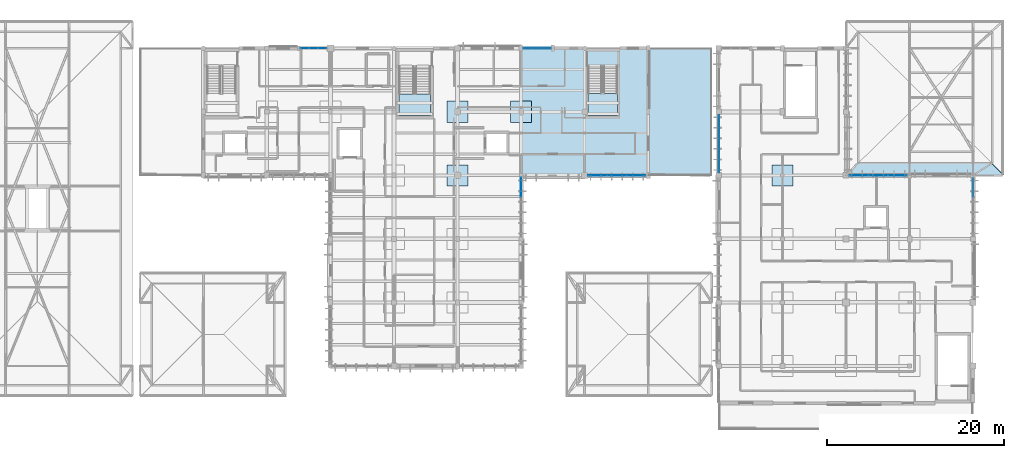
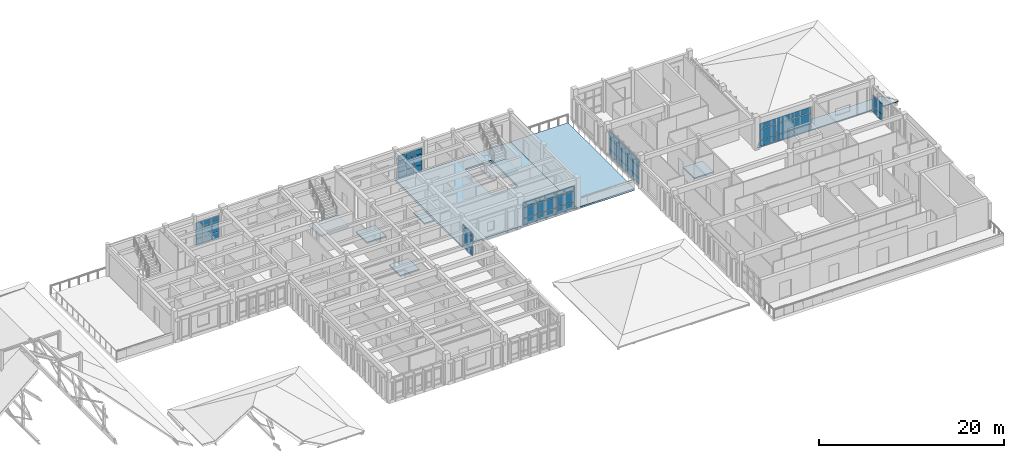
# One storey, part 26 of 51: 50 plates, 9 slabs, 10 elements without a shape of their own.
"""IFC4 building model written with IfcOpenShell, lengths in metres."""

import ifcopenshell
import ifcopenshell.guid

model = None  # the IFC model being written
_history = None  # IfcOwnerHistory: only IFC2X3 demands one
_inside = {}  # id of a spatial element -> (the spatial element, [elements in it])
_under = {}  # id of a project, library or spatial element -> (it, [spatial elements below it])
_declared = {}  # id of a project -> (the project, [libraries it declares])
_typed = {}  # id of a type object -> (the type object, [elements of that type])
_made_of = {}  # id of a material, layer set ... -> (it, [elements and type objects made of it])


def new_model(schema):
    """Start an empty IFC model of exactly this schema.

    Asked for "IFC4X3", IfcOpenShell would pick the latest addendum, in which some entities
    have other attributes; the version numbers below select the first issue.
    IFC2X3 requires an IfcOwnerHistory on every rooted entity: one is made here for all.
    """
    global model, _history
    if schema == "IFC4X3":
        model = ifcopenshell.file(schema_version=(4, 3, 0, 0))
    else:
        model = ifcopenshell.file(schema=schema)
    _inside.clear()
    _under.clear()
    _declared.clear()
    _typed.clear()
    _made_of.clear()
    _history = None
    if model.schema == "IFC2X3":
        org = make("IfcOrganization", Name="unknown")
        user = make(
            "IfcPersonAndOrganization",
            ThePerson=make("IfcPerson", FamilyName="unknown"),
            TheOrganization=org,
        )
        app = make(
            "IfcApplication",
            ApplicationDeveloper=org,
            Version="unknown",
            ApplicationFullName="unknown",
            ApplicationIdentifier="unknown",
        )
        _history = make(
            "IfcOwnerHistory",
            OwningUser=user,
            OwningApplication=app,
            ChangeAction="ADDED",
            CreationDate=0,
        )
    return model


def make(cls, **values):
    """One entity of the class cls with the attributes given. An attribute that is None is left unset."""
    return model.create_entity(
        cls, **{name: value for name, value in values.items() if value is not None}
    )


def rooted(cls, **values):
    """An entity with a GlobalId (a new one), such as an element, a storey or a relation."""
    return make(cls, GlobalId=ifcopenshell.guid.new(), OwnerHistory=_history, **values)


def si_unit(unit_type, name, prefix=None):
    """IfcSIUnit, for example si_unit("LENGTHUNIT", "METRE", prefix="MILLI")."""
    return make("IfcSIUnit", UnitType=unit_type, Prefix=prefix, Name=name)


def assignment(units):
    """IfcUnitAssignment: the units of a project."""
    return None if units is None else make("IfcUnitAssignment", Units=units)


def point(xyz):
    """IfcCartesianPoint."""
    return None if xyz is None else make("IfcCartesianPoint", Coordinates=xyz)


def direction(xyz):
    """IfcDirection."""
    return None if xyz is None else make("IfcDirection", DirectionRatios=xyz)


def frame(location, z_axis=None, x_axis=None):
    """IfcAxis2Placement3D, a coordinate frame: its origin and axes. An axis left out is left unset."""
    return make(
        "IfcAxis2Placement3D",
        Location=point(location),
        Axis=direction(z_axis),
        RefDirection=direction(x_axis),
    )


def frame_2d(location, x_axis=None):
    """IfcAxis2Placement2D, a coordinate frame in the plane: its origin and x axis."""
    return make(
        "IfcAxis2Placement2D", Location=point(location), RefDirection=direction(x_axis)
    )


def origin():
    """The frame at (0, 0, 0) with its axes left unset."""
    return frame((0.0, 0.0, 0.0))


def origin_2d():
    """The frame at (0, 0) in the plane with its x axis left unset."""
    return frame_2d((0.0, 0.0))


def place(relative_to, where):
    """IfcLocalPlacement: puts the frame where relative to a parent placement (None: the world)."""
    return make(
        "IfcLocalPlacement", PlacementRelTo=relative_to, RelativePlacement=where
    )


def context(
    kind, dimensions, precision=None, world=None, true_north=None, identifier=None
):
    """IfcGeometricRepresentationContext, for example the 3D "Model" context."""
    return make(
        "IfcGeometricRepresentationContext",
        ContextIdentifier=identifier,
        ContextType=kind,
        CoordinateSpaceDimension=dimensions,
        Precision=precision,
        WorldCoordinateSystem=world,
        TrueNorth=true_north,
    )


def subcontext(parent, identifier, kind, view, scale=None):
    """IfcGeometricRepresentationSubContext, for example "Body" below "Model"."""
    return make(
        "IfcGeometricRepresentationSubContext",
        ContextIdentifier=identifier,
        ContextType=kind,
        ParentContext=parent,
        TargetScale=scale,
        TargetView=view,
    )


def project(units=None, contexts=None):
    """IfcProject with its units and contexts."""
    return rooted(
        "IfcProject",
        Name="project",
        RepresentationContexts=contexts,
        UnitsInContext=assignment(units),
    )


def spatial(cls, under=None, at=None, **own):
    """A site, building, storey or space (cls), placed at a placement, below another one or the project."""
    s = rooted(cls, ObjectPlacement=at, **own)
    if under is not None:
        _under.setdefault(under.id(), (under, []))[1].append(s)
    return s


def polyline(points):
    """IfcPolyline through the points."""
    return make("IfcPolyline", Points=[point(p) for p in points])


def profile(cls, at=None, kind="AREA", **sizes):
    """A parametric profile (cls). Its sizes go by their IFC names, for example OverallWidth=200.0."""
    return make(cls, ProfileType=kind, Position=at, **sizes)


def rectangle(**sizes):
    """IfcRectangleProfileDef."""
    return profile("IfcRectangleProfileDef", **sizes)


def outline(outer, holes=None, kind="AREA"):
    """IfcArbitraryClosedProfileDef: a profile drawn as a closed curve; with holes, ...WithVoids."""
    if holes is None:
        return make("IfcArbitraryClosedProfileDef", ProfileType=kind, OuterCurve=outer)
    return make(
        "IfcArbitraryProfileDefWithVoids",
        ProfileType=kind,
        OuterCurve=outer,
        InnerCurves=holes,
    )


def extrude(swept, where, along, depth):
    """IfcExtrudedAreaSolid: the profile swept, set in the frame where, extruded along a direction by depth."""
    return make(
        "IfcExtrudedAreaSolid",
        SweptArea=swept,
        Position=where,
        ExtrudedDirection=direction(along),
        Depth=depth,
    )


def shape(context_of_items, identifier, shape_type, items):
    """IfcShapeRepresentation: the items that make up one representation, for example the "Body"."""
    return make(
        "IfcShapeRepresentation",
        ContextOfItems=context_of_items,
        RepresentationIdentifier=identifier,
        RepresentationType=shape_type,
        Items=items,
    )


def material(Name=None, Category=None):
    """IfcMaterial."""
    return make("IfcMaterial", Name=Name, Category=Category)


def layer(
    of_material, thickness, ventilated=None, Name=None, Category=None, Priority=None
):
    """IfcMaterialLayer: one layer of a wall or slab, of a material (None: an air gap)."""
    return make(
        "IfcMaterialLayer",
        Material=of_material,
        LayerThickness=thickness,
        IsVentilated=ventilated,
        Name=Name,
        Category=Category,
        Priority=Priority,
    )


def layer_set(layers, Name=None):
    """IfcMaterialLayerSet."""
    return make("IfcMaterialLayerSet", MaterialLayers=layers, LayerSetName=Name)


def made_of(thing, what):
    """Note that an element or type object is made of a material, layer set ...; save() writes the relation."""
    if what is not None:
        _made_of.setdefault(what.id(), (what, []))[1].append(thing)
    return thing


def type_object(cls, material=None, **own):
    """A type object (cls), such as IfcWallType, which elements share."""
    return made_of(rooted(cls, **own), material)


def element(
    cls,
    number,
    at=None,
    inside=None,
    cuts=None,
    type_object=None,
    material=None,
    context=None,
    identifier="Body",
    shape_type=None,
    held_by="IfcProductDefinitionShape",
    body=None,
    shapes=None,
    **own,
):
    """One element of the class cls, such as IfcWall. Its Tag is "e" and its number.

    at: its placement. inside: the storey or other place that contains it. cuts: it is an
    opening in that element (IfcRelVoidsElement). A single representation is given by context,
    identifier, shape_type and body (its items); several are given by shapes. held_by: the class
    of the entity that holds the representations. save() writes the other relations.
    """
    e = rooted(cls, Tag="e%d" % number, ObjectPlacement=at, **own)
    if body is not None:
        shapes = [shape(context, identifier, shape_type, body)]
    if shapes is not None:
        e.Representation = make(held_by, Representations=shapes)
    if inside is not None:
        _inside.setdefault(inside.id(), (inside, []))[1].append(e)
    if cuts is not None:
        rooted(
            "IfcRelVoidsElement", RelatingBuildingElement=cuts, RelatedOpeningElement=e
        )
    if type_object is not None:
        _typed.setdefault(type_object.id(), (type_object, []))[1].append(e)
    return made_of(e, material)


def aggregate(whole, parts):
    """IfcRelAggregates: a whole, such as a stair, and the parts it consists of."""
    return rooted("IfcRelAggregates", RelatingObject=whole, RelatedObjects=parts)


def save(model, path):
    """Write the relations noted so far, then the file.

    IfcRelAggregates (storeys below a building ...), IfcRelContainedInSpatialStructure (elements
    in a storey), IfcRelDefinesByType, IfcRelAssociatesMaterial and IfcRelDeclares: one each for
    every whole, place, type object, material and project.
    """
    for whole, parts in _under.values():
        aggregate(whole, parts)
    for where, things in _inside.values():
        rooted(
            "IfcRelContainedInSpatialStructure",
            RelatedElements=things,
            RelatingStructure=where,
        )
    for kind, things in _typed.values():
        rooted("IfcRelDefinesByType", RelatedObjects=things, RelatingType=kind)
    for what, things in _made_of.values():
        rooted("IfcRelAssociatesMaterial", RelatedObjects=things, RelatingMaterial=what)
    for by, libraries in _declared.values():
        rooted("IfcRelDeclares", RelatingContext=by, RelatedDefinitions=libraries)
    model.write(path)


model = new_model("IFC4")

# Units and contexts
model_context = context("Model", 3, precision=1e-05, world=origin(), true_north=direction((0.0, 1.0)))
body_context = subcontext(model_context, "Body", "Model", "MODEL_VIEW")
ifc_project = project(units=[si_unit("LENGTHUNIT", "METRE"), si_unit("AREAUNIT", "SQUARE_METRE"), si_unit("VOLUMEUNIT", "CUBIC_METRE"), si_unit("PLANEANGLEUNIT", "RADIAN"), si_unit("MASSUNIT", "GRAM", prefix="KILO")], contexts=[model_context])

# Site, building, storey
site_placement = place(None, origin())
site = spatial("IfcSite", under=ifc_project, at=site_placement, CompositionType="ELEMENT")
building_placement = place(site_placement, origin())
building = spatial("IfcBuilding", under=site, at=building_placement, Name="Steenspoor Specialist Clinic", CompositionType="ELEMENT")
storey_placement = place(building_placement, frame((0.0, 0.0, 17.39990234375)))
storey = spatial("IfcBuildingStorey", under=building, at=storey_placement, Name="L04", CompositionType="ELEMENT", Elevation=17.39990234375)

# Curtain wall, plates
ifc_material_1 = material(Name="Thermally broken aluminium and low-emissivity glass", Category="aluminium")
curtain_wall_type_1 = type_object("IfcCurtainWallType", Name="CW-TYP-660X355", PredefinedType="USERDEFINED", material=ifc_material_1)
curtain_wall_1_placement = place(storey_placement, origin())
curtain_wall_1 = element("IfcCurtainWall", 1, at=curtain_wall_1_placement, inside=storey, type_object=curtain_wall_type_1, Name="Unitised Curtain Wall CW-V4-L04-129", ObjectType="UNITISED GLAZING", PredefinedType="USERDEFINED")
ifc_material_2 = material(Name="Double low-emissivity insulated glass", Category="glass")
ifc_layer_1 = layer(ifc_material_2, 0.035888671875)
ifc_layer_set_1 = layer_set([ifc_layer_1], Name="Double low-emissivity insulated glass")
plate_type_1 = type_object("IfcPlateType", Name="CW-PAN-GL36", PredefinedType="CURTAIN_PANEL", material=ifc_layer_set_1)
plate_1_placement = place(storey_placement, frame((108.6337890625, 93.949951171875, 0.09033203125), z_axis=(0.0, 0.0, 1.0), x_axis=(-1.0, 0.0, 0.0)))
plate_1 = element("IfcPlate", 2, at=plate_1_placement, type_object=plate_type_1, Name="CW-09 panel 1.1", PredefinedType="CURTAIN_PANEL", context=body_context, shape_type="SweptSolid", body=[
    extrude(rectangle(XDim=2.1025390625, YDim=0.035888671875, at=origin_2d()), origin(), (0.0, 0.0, 1.0), 0.764892578125),
])
plate_2_placement = place(storey_placement, frame((108.6337890625, 93.949951171875, 0.94482421875), z_axis=(0.0, 0.0, 1.0), x_axis=(-1.0, 0.0, 0.0)))
plate_2 = element("IfcPlate", 3, at=plate_2_placement, type_object=plate_type_1, Name="CW-09 panel 1.2", PredefinedType="CURTAIN_PANEL", context=body_context, shape_type="SweptSolid", body=[
    extrude(rectangle(XDim=2.1025390625, YDim=0.035888671875, at=origin_2d()), origin(), (0.0, 0.0, 1.0), 1.360107421875),
])
plate_3_placement = place(storey_placement, frame((108.6337890625, 93.949951171875, 2.39501953125), z_axis=(0.0, 0.0, 1.0), x_axis=(-1.0, 0.0, 0.0)))
plate_3 = element("IfcPlate", 4, at=plate_3_placement, type_object=plate_type_1, Name="CW-09 panel 1.3", PredefinedType="CURTAIN_PANEL", context=body_context, shape_type="SweptSolid", body=[
    extrude(rectangle(XDim=2.1025390625, YDim=0.035888671875, at=origin_2d()), origin(), (0.0, 0.0, 1.0), 0.614990234375),
])
plate_4_placement = place(storey_placement, frame((106.449951171875, 93.949951171875, 0.09033203125), z_axis=(0.0, 0.0, 1.0), x_axis=(-1.0, 0.0, 0.0)))
plate_4 = element("IfcPlate", 5, at=plate_4_placement, type_object=plate_type_1, Name="CW-09 panel 2.1", PredefinedType="CURTAIN_PANEL", context=body_context, shape_type="SweptSolid", body=[
    extrude(rectangle(XDim=2.135009765625, YDim=0.035888671875, at=origin_2d()), origin(), (0.0, 0.0, 1.0), 0.764892578125),
])
plate_5_placement = place(storey_placement, frame((106.449951171875, 93.949951171875, 0.94482421875), z_axis=(0.0, 0.0, 1.0), x_axis=(-1.0, 0.0, 0.0)))
plate_5 = element("IfcPlate", 6, at=plate_5_placement, type_object=plate_type_1, Name="CW-09 panel 2.2", PredefinedType="CURTAIN_PANEL", context=body_context, shape_type="SweptSolid", body=[
    extrude(rectangle(XDim=2.135009765625, YDim=0.035888671875, at=origin_2d()), origin(), (0.0, 0.0, 1.0), 1.360107421875),
])
plate_6_placement = place(storey_placement, frame((106.449951171875, 93.949951171875, 2.39501953125), z_axis=(0.0, 0.0, 1.0), x_axis=(-1.0, 0.0, 0.0)))
plate_6 = element("IfcPlate", 7, at=plate_6_placement, type_object=plate_type_1, Name="CW-09 panel 2.3", PredefinedType="CURTAIN_PANEL", context=body_context, shape_type="SweptSolid", body=[
    extrude(rectangle(XDim=2.135009765625, YDim=0.035888671875, at=origin_2d()), origin(), (0.0, 0.0, 1.0), 0.614990234375),
])
plate_7_placement = place(storey_placement, frame((104.266357421875, 93.949951171875, 0.09033203125), z_axis=(0.0, 0.0, 1.0), x_axis=(-1.0, 0.0, 0.0)))
plate_7 = element("IfcPlate", 8, at=plate_7_placement, type_object=plate_type_1, Name="CW-09 panel 3.1", PredefinedType="CURTAIN_PANEL", context=body_context, shape_type="SweptSolid", body=[
    extrude(rectangle(XDim=2.1025390625, YDim=0.035888671875, at=origin_2d()), origin(), (0.0, 0.0, 1.0), 0.764892578125),
])
plate_8_placement = place(storey_placement, frame((104.266357421875, 93.949951171875, 0.94482421875), z_axis=(0.0, 0.0, 1.0), x_axis=(-1.0, 0.0, 0.0)))
plate_8 = element("IfcPlate", 9, at=plate_8_placement, type_object=plate_type_1, Name="CW-09 panel 3.2", PredefinedType="CURTAIN_PANEL", context=body_context, shape_type="SweptSolid", body=[
    extrude(rectangle(XDim=2.1025390625, YDim=0.035888671875, at=origin_2d()), origin(), (0.0, 0.0, 1.0), 1.360107421875),
])
plate_9_placement = place(storey_placement, frame((104.266357421875, 93.949951171875, 2.39501953125), z_axis=(0.0, 0.0, 1.0), x_axis=(-1.0, 0.0, 0.0)))
plate_9 = element("IfcPlate", 10, at=plate_9_placement, type_object=plate_type_1, Name="CW-09 panel 3.3", PredefinedType="CURTAIN_PANEL", context=body_context, shape_type="SweptSolid", body=[
    extrude(rectangle(XDim=2.1025390625, YDim=0.035888671875, at=origin_2d()), origin(), (0.0, 0.0, 1.0), 0.614990234375),
])
aggregate(curtain_wall_1, [plate_1, plate_2, plate_3, plate_4, plate_5, plate_6, plate_7, plate_8, plate_9])

curtain_wall_type_2 = type_object("IfcCurtainWallType", Name="CW-L00-360X415", PredefinedType="USERDEFINED", material=ifc_material_1)
curtain_wall_2_placement = place(storey_placement, origin())
curtain_wall_2 = element("IfcCurtainWall", 11, at=curtain_wall_2_placement, inside=storey, type_object=curtain_wall_type_2, Name="Unitised Curtain Wall CW-V4-L04-127", ObjectType="UNITISED GLAZING", PredefinedType="USERDEFINED")
ifc_material_3 = material(Name="Triple acoustic laminated low-emissivity glass", Category="glass")
ifc_layer_2 = layer(ifc_material_3, 0.048095703125)
ifc_layer_set_2 = layer_set([ifc_layer_2], Name="Triple acoustic laminated low-emissivity glass")
plate_type_2 = type_object("IfcPlateType", Name="CW-PAN-GL48", PredefinedType="CURTAIN_PANEL", material=ifc_layer_set_2)
plate_10_placement = place(storey_placement, frame((71.07421875, 108.35009765625, 0.06494140625), z_axis=(0.0, 0.0, 1.0), x_axis=(1.0, 0.0, 0.0)))
plate_10 = element("IfcPlate", 12, at=plate_10_placement, type_object=plate_type_2, Name="CW-07 panel 1.1", PredefinedType="CURTAIN_PANEL", context=body_context, shape_type="SweptSolid", body=[
    extrude(rectangle(XDim=0.908447265625, YDim=0.048095703125, at=origin_2d()), origin(), (0.0, 0.0, 1.0), 0.802490234375),
])
plate_11_placement = place(storey_placement, frame((71.07421875, 108.35009765625, 0.9326171875), z_axis=(0.0, 0.0, 1.0), x_axis=(1.0, 0.0, 0.0)))
plate_11 = element("IfcPlate", 13, at=plate_11_placement, type_object=plate_type_2, Name="CW-07 panel 1.2", PredefinedType="CURTAIN_PANEL", context=body_context, shape_type="SweptSolid", body=[
    extrude(rectangle(XDim=0.908447265625, YDim=0.048095703125, at=origin_2d()), origin(), (0.0, 0.0, 1.0), 1.385009765625),
])
plate_12_placement = place(storey_placement, frame((71.07421875, 108.35009765625, 2.38232421875), z_axis=(0.0, 0.0, 1.0), x_axis=(1.0, 0.0, 0.0)))
plate_12 = element("IfcPlate", 14, at=plate_12_placement, type_object=plate_type_2, Name="CW-07 panel 1.3", PredefinedType="CURTAIN_PANEL", context=body_context, shape_type="SweptSolid", body=[
    extrude(rectangle(XDim=0.908447265625, YDim=0.048095703125, at=origin_2d()), origin(), (0.0, 0.0, 1.0), 0.652587890625),
])
plate_13_placement = place(storey_placement, frame((72.08251953125, 108.35009765625, 0.06494140625), z_axis=(0.0, 0.0, 1.0), x_axis=(1.0, 0.0, 0.0)))
plate_13 = element("IfcPlate", 15, at=plate_13_placement, type_object=plate_type_2, Name="CW-07 panel 2.1", PredefinedType="CURTAIN_PANEL", context=body_context, shape_type="SweptSolid", body=[
    extrude(rectangle(XDim=0.9482421875, YDim=0.048095703125, at=origin_2d()), origin(), (0.0, 0.0, 1.0), 0.802490234375),
])
plate_14_placement = place(storey_placement, frame((72.08251953125, 108.35009765625, 0.9326171875), z_axis=(0.0, 0.0, 1.0), x_axis=(1.0, 0.0, 0.0)))
plate_14 = element("IfcPlate", 16, at=plate_14_placement, type_object=plate_type_2, Name="CW-07 panel 2.2", PredefinedType="CURTAIN_PANEL", context=body_context, shape_type="SweptSolid", body=[
    extrude(rectangle(XDim=0.9482421875, YDim=0.048095703125, at=origin_2d()), origin(), (0.0, 0.0, 1.0), 1.385009765625),
])
plate_15_placement = place(storey_placement, frame((72.08251953125, 108.35009765625, 2.38232421875), z_axis=(0.0, 0.0, 1.0), x_axis=(1.0, 0.0, 0.0)))
plate_15 = element("IfcPlate", 17, at=plate_15_placement, type_object=plate_type_2, Name="CW-07 panel 2.3", PredefinedType="CURTAIN_PANEL", context=body_context, shape_type="SweptSolid", body=[
    extrude(rectangle(XDim=0.9482421875, YDim=0.048095703125, at=origin_2d()), origin(), (0.0, 0.0, 1.0), 0.652587890625),
])
plate_16_placement = place(storey_placement, frame((73.0908203125, 108.35009765625, 0.06494140625), z_axis=(0.0, 0.0, 1.0), x_axis=(1.0, 0.0, 0.0)))
plate_16 = element("IfcPlate", 18, at=plate_16_placement, type_object=plate_type_2, Name="CW-07 panel 3.1", PredefinedType="CURTAIN_PANEL", context=body_context, shape_type="SweptSolid", body=[
    extrude(rectangle(XDim=0.908447265625, YDim=0.048095703125, at=origin_2d()), origin(), (0.0, 0.0, 1.0), 0.802490234375),
])
plate_17_placement = place(storey_placement, frame((73.0908203125, 108.35009765625, 0.9326171875), z_axis=(0.0, 0.0, 1.0), x_axis=(1.0, 0.0, 0.0)))
plate_17 = element("IfcPlate", 19, at=plate_17_placement, type_object=plate_type_2, Name="CW-07 panel 3.2", PredefinedType="CURTAIN_PANEL", context=body_context, shape_type="SweptSolid", body=[
    extrude(rectangle(XDim=0.908447265625, YDim=0.048095703125, at=origin_2d()), origin(), (0.0, 0.0, 1.0), 1.385009765625),
])
plate_18_placement = place(storey_placement, frame((73.0908203125, 108.35009765625, 2.38232421875), z_axis=(0.0, 0.0, 1.0), x_axis=(1.0, 0.0, 0.0)))
plate_18 = element("IfcPlate", 20, at=plate_18_placement, type_object=plate_type_2, Name="CW-07 panel 3.3", PredefinedType="CURTAIN_PANEL", context=body_context, shape_type="SweptSolid", body=[
    extrude(rectangle(XDim=0.908447265625, YDim=0.048095703125, at=origin_2d()), origin(), (0.0, 0.0, 1.0), 0.652587890625),
])
aggregate(curtain_wall_2, [plate_10, plate_11, plate_12, plate_13, plate_14, plate_15, plate_16, plate_17, plate_18])

curtain_wall_type_3 = type_object("IfcCurtainWallType", Name="CW-TYP-650X355", PredefinedType="USERDEFINED", material=ifc_material_1)
curtain_wall_3_placement = place(storey_placement, origin())
curtain_wall_3 = element("IfcCurtainWall", 21, at=curtain_wall_3_placement, inside=storey, type_object=curtain_wall_type_3, Name="Unitised Curtain Wall CW-V4-L04-130", ObjectType="UNITISED GLAZING", PredefinedType="USERDEFINED")
plate_19_placement = place(storey_placement, frame((95.60009765625, 92.605712890625, 0.080078125), z_axis=(0.0, 0.0, 1.0), x_axis=(0.0, -1.0, 0.0)))
plate_19 = element("IfcPlate", 22, at=plate_19_placement, type_object=plate_type_2, Name="CW-10 panel 1.1", PredefinedType="CURTAIN_PANEL", context=body_context, shape_type="SweptSolid", body=[
    extrude(rectangle(XDim=2.168212890625, YDim=0.048095703125, at=origin_2d()), origin(), (0.0, 0.0, 1.0), 0.780029296875),
])
plate_20_placement = place(storey_placement, frame((95.60009765625, 92.605712890625, 0.93994140625), z_axis=(0.0, 0.0, 1.0), x_axis=(0.0, -1.0, 0.0)))
plate_20 = element("IfcPlate", 23, at=plate_20_placement, type_object=plate_type_2, Name="CW-10 panel 1.2", PredefinedType="CURTAIN_PANEL", context=body_context, shape_type="SweptSolid", body=[
    extrude(rectangle(XDim=2.168212890625, YDim=0.048095703125, at=origin_2d()), origin(), (0.0, 0.0, 1.0), 1.3701171875),
])
plate_21_placement = place(storey_placement, frame((95.60009765625, 92.605712890625, 2.39013671875), z_axis=(0.0, 0.0, 1.0), x_axis=(0.0, -1.0, 0.0)))
plate_21 = element("IfcPlate", 24, at=plate_21_placement, type_object=plate_type_2, Name="CW-10 panel 1.3", PredefinedType="CURTAIN_PANEL", context=body_context, shape_type="SweptSolid", body=[
    extrude(rectangle(XDim=2.168212890625, YDim=0.048095703125, at=origin_2d()), origin(), (0.0, 0.0, 1.0), 0.6298828125),
])
aggregate(curtain_wall_3, [plate_19, plate_20, plate_21])

curtain_wall_type_4 = type_object("IfcCurtainWallType", Name="CW-L00-240X415", PredefinedType="USERDEFINED", material=ifc_material_1)
curtain_wall_4_placement = place(storey_placement, origin())
curtain_wall_4 = element("IfcCurtainWall", 25, at=curtain_wall_4_placement, inside=storey, type_object=curtain_wall_type_4, Name="Unitised Curtain Wall CW-V4-L04-128", ObjectType="UNITISED GLAZING", PredefinedType="USERDEFINED")
ifc_material_4 = material(Name="Insulated glazed ceramic spandrel panel", Category="glass")
ifc_layer_3 = layer(ifc_material_4, 0.074951171875)
ifc_layer_set_3 = layer_set([ifc_layer_3], Name="Insulated glazed ceramic spandrel panel")
plate_type_3 = type_object("IfcPlateType", Name="CW-PAN-SP75", PredefinedType="CURTAIN_PANEL", material=ifc_layer_set_3)
plate_22_placement = place(storey_placement, frame((96.373291015625, 108.35009765625, 0.06005859375), z_axis=(0.0, 0.0, 1.0), x_axis=(1.0, 0.0, 0.0)))
plate_22 = element("IfcPlate", 26, at=plate_22_placement, type_object=plate_type_3, Name="CW-08 panel 1.1", PredefinedType="CURTAIN_PANEL", context=body_context, shape_type="SweptSolid", body=[
    extrude(rectangle(XDim=0.956787109375, YDim=0.074951171875, at=origin_2d()), origin(), (0.0, 0.0, 1.0), 0.81005859375),
])
plate_23_placement = place(storey_placement, frame((96.373291015625, 108.35009765625, 0.93017578125), z_axis=(0.0, 0.0, 1.0), x_axis=(1.0, 0.0, 0.0)))
plate_23 = element("IfcPlate", 27, at=plate_23_placement, type_object=plate_type_3, Name="CW-08 panel 1.2", PredefinedType="CURTAIN_PANEL", context=body_context, shape_type="SweptSolid", body=[
    extrude(rectangle(XDim=0.956787109375, YDim=0.074951171875, at=origin_2d()), origin(), (0.0, 0.0, 1.0), 1.389892578125),
])
plate_24_placement = place(storey_placement, frame((96.373291015625, 108.35009765625, 2.38037109375), z_axis=(0.0, 0.0, 1.0), x_axis=(1.0, 0.0, 0.0)))
plate_24 = element("IfcPlate", 28, at=plate_24_placement, type_object=plate_type_3, Name="CW-08 panel 1.3", PredefinedType="CURTAIN_PANEL", context=body_context, shape_type="SweptSolid", body=[
    extrude(rectangle(XDim=0.956787109375, YDim=0.074951171875, at=origin_2d()), origin(), (0.0, 0.0, 1.0), 0.659912109375),
])
plate_25_placement = place(storey_placement, frame((97.41748046875, 108.35009765625, 0.06005859375), z_axis=(0.0, 0.0, 1.0), x_axis=(1.0, 0.0, 0.0)))
plate_25 = element("IfcPlate", 29, at=plate_25_placement, type_object=plate_type_3, Name="CW-08 panel 2.1", PredefinedType="CURTAIN_PANEL", context=body_context, shape_type="SweptSolid", body=[
    extrude(rectangle(XDim=0.99169921875, YDim=0.074951171875, at=origin_2d()), origin(), (0.0, 0.0, 1.0), 0.81005859375),
])
plate_26_placement = place(storey_placement, frame((97.41748046875, 108.35009765625, 0.93017578125), z_axis=(0.0, 0.0, 1.0), x_axis=(1.0, 0.0, 0.0)))
plate_26 = element("IfcPlate", 30, at=plate_26_placement, type_object=plate_type_3, Name="CW-08 panel 2.2", PredefinedType="CURTAIN_PANEL", context=body_context, shape_type="SweptSolid", body=[
    extrude(rectangle(XDim=0.99169921875, YDim=0.074951171875, at=origin_2d()), origin(), (0.0, 0.0, 1.0), 1.389892578125),
])
plate_27_placement = place(storey_placement, frame((97.41748046875, 108.35009765625, 2.38037109375), z_axis=(0.0, 0.0, 1.0), x_axis=(1.0, 0.0, 0.0)))
plate_27 = element("IfcPlate", 31, at=plate_27_placement, type_object=plate_type_3, Name="CW-08 panel 2.3", PredefinedType="CURTAIN_PANEL", context=body_context, shape_type="SweptSolid", body=[
    extrude(rectangle(XDim=0.99169921875, YDim=0.074951171875, at=origin_2d()), origin(), (0.0, 0.0, 1.0), 0.659912109375),
])
plate_28_placement = place(storey_placement, frame((98.461669921875, 108.35009765625, 0.06005859375), z_axis=(0.0, 0.0, 1.0), x_axis=(1.0, 0.0, 0.0)))
plate_28 = element("IfcPlate", 32, at=plate_28_placement, type_object=plate_type_3, Name="CW-08 panel 3.1", PredefinedType="CURTAIN_PANEL", context=body_context, shape_type="SweptSolid", body=[
    extrude(rectangle(XDim=0.956787109375, YDim=0.074951171875, at=origin_2d()), origin(), (0.0, 0.0, 1.0), 0.81005859375),
])
plate_29_placement = place(storey_placement, frame((98.461669921875, 108.35009765625, 0.93017578125), z_axis=(0.0, 0.0, 1.0), x_axis=(1.0, 0.0, 0.0)))
plate_29 = element("IfcPlate", 33, at=plate_29_placement, type_object=plate_type_3, Name="CW-08 panel 3.2", PredefinedType="CURTAIN_PANEL", context=body_context, shape_type="SweptSolid", body=[
    extrude(rectangle(XDim=0.956787109375, YDim=0.074951171875, at=origin_2d()), origin(), (0.0, 0.0, 1.0), 1.389892578125),
])
plate_30_placement = place(storey_placement, frame((98.461669921875, 108.35009765625, 2.38037109375), z_axis=(0.0, 0.0, 1.0), x_axis=(1.0, 0.0, 0.0)))
plate_30 = element("IfcPlate", 34, at=plate_30_placement, type_object=plate_type_3, Name="CW-08 panel 3.3", PredefinedType="CURTAIN_PANEL", context=body_context, shape_type="SweptSolid", body=[
    extrude(rectangle(XDim=0.956787109375, YDim=0.074951171875, at=origin_2d()), origin(), (0.0, 0.0, 1.0), 0.659912109375),
])
aggregate(curtain_wall_4, [plate_22, plate_23, plate_24, plate_25, plate_26, plate_27, plate_28, plate_29, plate_30])

curtain_wall_type_5 = type_object("IfcCurtainWallType", Name="CW-TYP-540X355", PredefinedType="USERDEFINED", material=ifc_material_1)
curtain_wall_5_placement = place(storey_placement, origin())
curtain_wall_5 = element("IfcCurtainWall", 35, at=curtain_wall_5_placement, inside=storey, type_object=curtain_wall_type_5, Name="Unitised Curtain Wall CW-V6-L04-203", ObjectType="UNITISED GLAZING", PredefinedType="USERDEFINED")
plate_31_placement = place(storey_placement, frame((146.800048828125, 92.54833984375, 0.06005859375), z_axis=(0.0, 0.0, 1.0), x_axis=(0.0, -1.0, 0.0)))
plate_31 = element("IfcPlate", 36, at=plate_31_placement, type_object=plate_type_3, Name="CW-11 panel 1.1", PredefinedType="CURTAIN_PANEL", context=body_context, shape_type="SweptSolid", body=[
    extrude(rectangle(XDim=2.0732421875, YDim=0.074951171875, at=origin_2d()), origin(), (0.0, 0.0, 1.0), 0.81005859375),
])
plate_32_placement = place(storey_placement, frame((146.800048828125, 92.54833984375, 0.93017578125), z_axis=(0.0, 0.0, 1.0), x_axis=(0.0, -1.0, 0.0)))
plate_32 = element("IfcPlate", 37, at=plate_32_placement, type_object=plate_type_3, Name="CW-11 panel 1.2", PredefinedType="CURTAIN_PANEL", context=body_context, shape_type="SweptSolid", body=[
    extrude(rectangle(XDim=2.0732421875, YDim=0.074951171875, at=origin_2d()), origin(), (0.0, 0.0, 1.0), 1.389892578125),
])
aggregate(curtain_wall_5, [plate_31, plate_32])

curtain_wall_type_6 = type_object("IfcCurtainWallType", Name="CW-TYP-360X355", PredefinedType="USERDEFINED", material=ifc_material_1)
curtain_wall_6_placement = place(storey_placement, origin())
curtain_wall_6 = element("IfcCurtainWall", 38, at=curtain_wall_6_placement, inside=storey, type_object=curtain_wall_type_6, Name="Unitised Curtain Wall CW-V6-L04-206", ObjectType="UNITISED GLAZING", PredefinedType="USERDEFINED")
plate_33_placement = place(storey_placement, frame((118.0, 95.367431640625, 0.070068359375), z_axis=(0.0, 0.0, 1.0), x_axis=(0.0, 1.0, 0.0)))
plate_33 = element("IfcPlate", 39, at=plate_33_placement, type_object=plate_type_3, Name="CW-14 panel 1.1", PredefinedType="CURTAIN_PANEL", context=body_context, shape_type="SweptSolid", body=[
    extrude(rectangle(XDim=2.094970703125, YDim=0.074951171875, at=origin_2d()), origin(), (0.0, 0.0, 1.0), 0.794921875),
])
plate_34_placement = place(storey_placement, frame((118.0, 95.367431640625, 0.93505859375), z_axis=(0.0, 0.0, 1.0), x_axis=(0.0, 1.0, 0.0)))
plate_34 = element("IfcPlate", 40, at=plate_34_placement, type_object=plate_type_3, Name="CW-14 panel 1.2", PredefinedType="CURTAIN_PANEL", context=body_context, shape_type="SweptSolid", body=[
    extrude(rectangle(XDim=2.094970703125, YDim=0.074951171875, at=origin_2d()), origin(), (0.0, 0.0, 1.0), 1.3798828125),
])
plate_35_placement = place(storey_placement, frame((118.0, 95.367431640625, 2.38525390625), z_axis=(0.0, 0.0, 1.0), x_axis=(0.0, 1.0, 0.0)))
plate_35 = element("IfcPlate", 41, at=plate_35_placement, type_object=plate_type_3, Name="CW-14 panel 1.3", PredefinedType="CURTAIN_PANEL", context=body_context, shape_type="SweptSolid", body=[
    extrude(rectangle(XDim=2.094970703125, YDim=0.074951171875, at=origin_2d()), origin(), (0.0, 0.0, 1.0), 0.925048828125),
])
plate_36_placement = place(storey_placement, frame((118.0, 97.550048828125, 0.070068359375), z_axis=(0.0, 0.0, 1.0), x_axis=(0.0, 1.0, 0.0)))
plate_36 = element("IfcPlate", 42, at=plate_36_placement, type_object=plate_type_3, Name="CW-14 panel 2.1", PredefinedType="CURTAIN_PANEL", context=body_context, shape_type="SweptSolid", body=[
    extrude(rectangle(XDim=2.1298828125, YDim=0.074951171875, at=origin_2d()), origin(), (0.0, 0.0, 1.0), 0.794921875),
])
plate_37_placement = place(storey_placement, frame((118.0, 97.550048828125, 0.93505859375), z_axis=(0.0, 0.0, 1.0), x_axis=(0.0, 1.0, 0.0)))
plate_37 = element("IfcPlate", 43, at=plate_37_placement, type_object=plate_type_3, Name="CW-14 panel 2.2", PredefinedType="CURTAIN_PANEL", context=body_context, shape_type="SweptSolid", body=[
    extrude(rectangle(XDim=2.1298828125, YDim=0.074951171875, at=origin_2d()), origin(), (0.0, 0.0, 1.0), 1.3798828125),
])
plate_38_placement = place(storey_placement, frame((118.0, 97.550048828125, 2.38525390625), z_axis=(0.0, 0.0, 1.0), x_axis=(0.0, 1.0, 0.0)))
plate_38 = element("IfcPlate", 44, at=plate_38_placement, type_object=plate_type_3, Name="CW-14 panel 2.3", PredefinedType="CURTAIN_PANEL", context=body_context, shape_type="SweptSolid", body=[
    extrude(rectangle(XDim=2.1298828125, YDim=0.074951171875, at=origin_2d()), origin(), (0.0, 0.0, 1.0), 0.925048828125),
])
plate_39_placement = place(storey_placement, frame((118.0, 99.732421875, 0.070068359375), z_axis=(0.0, 0.0, 1.0), x_axis=(0.0, 1.0, 0.0)))
plate_39 = element("IfcPlate", 45, at=plate_39_placement, type_object=plate_type_3, Name="CW-14 panel 3.1", PredefinedType="CURTAIN_PANEL", context=body_context, shape_type="SweptSolid", body=[
    extrude(rectangle(XDim=2.094970703125, YDim=0.074951171875, at=origin_2d()), origin(), (0.0, 0.0, 1.0), 0.794921875),
])
plate_40_placement = place(storey_placement, frame((118.0, 99.732421875, 0.93505859375), z_axis=(0.0, 0.0, 1.0), x_axis=(0.0, 1.0, 0.0)))
plate_40 = element("IfcPlate", 46, at=plate_40_placement, type_object=plate_type_3, Name="CW-14 panel 3.2", PredefinedType="CURTAIN_PANEL", context=body_context, shape_type="SweptSolid", body=[
    extrude(rectangle(XDim=2.094970703125, YDim=0.074951171875, at=origin_2d()), origin(), (0.0, 0.0, 1.0), 1.3798828125),
])
plate_41_placement = place(storey_placement, frame((118.0, 99.732421875, 2.38525390625), z_axis=(0.0, 0.0, 1.0), x_axis=(0.0, 1.0, 0.0)))
plate_41 = element("IfcPlate", 47, at=plate_41_placement, type_object=plate_type_3, Name="CW-14 panel 3.3", PredefinedType="CURTAIN_PANEL", context=body_context, shape_type="SweptSolid", body=[
    extrude(rectangle(XDim=2.094970703125, YDim=0.074951171875, at=origin_2d()), origin(), (0.0, 0.0, 1.0), 0.925048828125),
])
aggregate(curtain_wall_6, [plate_33, plate_34, plate_35, plate_36, plate_37, plate_38, plate_39, plate_40, plate_41])

curtain_wall_type_7 = type_object("IfcCurtainWallType", Name="CW-SCR-660X320", PredefinedType="USERDEFINED", material=ifc_material_1)
curtain_wall_7_placement = place(storey_placement, origin())
curtain_wall_7 = element("IfcCurtainWall", 48, at=curtain_wall_7_placement, inside=storey, type_object=curtain_wall_type_7, Name="Unitised Curtain Wall CW-V6-L04-209", ObjectType="UNITISED GLAZING", PredefinedType="USERDEFINED")
plate_42_placement = place(storey_placement, frame((133.855712890625, 93.949951171875, 0.09033203125), z_axis=(0.0, 0.0, 1.0), x_axis=(1.0, 0.0, 0.0)))
plate_42 = element("IfcPlate", 49, at=plate_42_placement, type_object=plate_type_3, Name="CW-17 panel 1.1", PredefinedType="CURTAIN_PANEL", context=body_context, shape_type="SweptSolid", body=[
    extrude(rectangle(XDim=2.081787109375, YDim=0.074951171875, at=origin_2d()), origin(), (0.0, 0.0, 1.0), 0.764892578125),
])
plate_43_placement = place(storey_placement, frame((133.855712890625, 93.949951171875, 0.94482421875), z_axis=(0.0, 0.0, 1.0), x_axis=(1.0, 0.0, 0.0)))
plate_43 = element("IfcPlate", 50, at=plate_43_placement, type_object=plate_type_3, Name="CW-17 panel 1.2", PredefinedType="CURTAIN_PANEL", context=body_context, shape_type="SweptSolid", body=[
    extrude(rectangle(XDim=2.081787109375, YDim=0.074951171875, at=origin_2d()), origin(), (0.0, 0.0, 1.0), 1.360107421875),
])
plate_44_placement = place(storey_placement, frame((133.855712890625, 93.949951171875, 2.39501953125), z_axis=(0.0, 0.0, 1.0), x_axis=(1.0, 0.0, 0.0)))
plate_44 = element("IfcPlate", 51, at=plate_44_placement, type_object=plate_type_3, Name="CW-17 panel 1.3", PredefinedType="CURTAIN_PANEL", context=body_context, shape_type="SweptSolid", body=[
    extrude(rectangle(XDim=2.081787109375, YDim=0.074951171875, at=origin_2d()), origin(), (0.0, 0.0, 1.0), 0.735107421875),
])
plate_45_placement = place(storey_placement, frame((136.050048828125, 93.949951171875, 0.09033203125), z_axis=(0.0, 0.0, 1.0), x_axis=(1.0, 0.0, 0.0)))
plate_45 = element("IfcPlate", 52, at=plate_45_placement, type_object=plate_type_3, Name="CW-17 panel 2.1", PredefinedType="CURTAIN_PANEL", context=body_context, shape_type="SweptSolid", body=[
    extrude(rectangle(XDim=2.126708984375, YDim=0.074951171875, at=origin_2d()), origin(), (0.0, 0.0, 1.0), 0.764892578125),
])
plate_46_placement = place(storey_placement, frame((136.050048828125, 93.949951171875, 0.94482421875), z_axis=(0.0, 0.0, 1.0), x_axis=(1.0, 0.0, 0.0)))
plate_46 = element("IfcPlate", 53, at=plate_46_placement, type_object=plate_type_3, Name="CW-17 panel 2.2", PredefinedType="CURTAIN_PANEL", context=body_context, shape_type="SweptSolid", body=[
    extrude(rectangle(XDim=2.126708984375, YDim=0.074951171875, at=origin_2d()), origin(), (0.0, 0.0, 1.0), 1.360107421875),
])
plate_47_placement = place(storey_placement, frame((136.050048828125, 93.949951171875, 2.39501953125), z_axis=(0.0, 0.0, 1.0), x_axis=(1.0, 0.0, 0.0)))
plate_47 = element("IfcPlate", 54, at=plate_47_placement, type_object=plate_type_3, Name="CW-17 panel 2.3", PredefinedType="CURTAIN_PANEL", context=body_context, shape_type="SweptSolid", body=[
    extrude(rectangle(XDim=2.126708984375, YDim=0.074951171875, at=origin_2d()), origin(), (0.0, 0.0, 1.0), 0.735107421875),
])
plate_48_placement = place(storey_placement, frame((138.244140625, 93.949951171875, 0.09033203125), z_axis=(0.0, 0.0, 1.0), x_axis=(1.0, 0.0, 0.0)))
plate_48 = element("IfcPlate", 55, at=plate_48_placement, type_object=plate_type_3, Name="CW-17 panel 3.1", PredefinedType="CURTAIN_PANEL", context=body_context, shape_type="SweptSolid", body=[
    extrude(rectangle(XDim=2.081787109375, YDim=0.074951171875, at=origin_2d()), origin(), (0.0, 0.0, 1.0), 0.764892578125),
])
plate_49_placement = place(storey_placement, frame((138.244140625, 93.949951171875, 0.94482421875), z_axis=(0.0, 0.0, 1.0), x_axis=(1.0, 0.0, 0.0)))
plate_49 = element("IfcPlate", 56, at=plate_49_placement, type_object=plate_type_3, Name="CW-17 panel 3.2", PredefinedType="CURTAIN_PANEL", context=body_context, shape_type="SweptSolid", body=[
    extrude(rectangle(XDim=2.081787109375, YDim=0.074951171875, at=origin_2d()), origin(), (0.0, 0.0, 1.0), 1.360107421875),
])
plate_50_placement = place(storey_placement, frame((138.244140625, 93.949951171875, 2.39501953125), z_axis=(0.0, 0.0, 1.0), x_axis=(1.0, 0.0, 0.0)))
plate_50 = element("IfcPlate", 57, at=plate_50_placement, type_object=plate_type_3, Name="CW-17 panel 3.3", PredefinedType="CURTAIN_PANEL", context=body_context, shape_type="SweptSolid", body=[
    extrude(rectangle(XDim=2.081787109375, YDim=0.074951171875, at=origin_2d()), origin(), (0.0, 0.0, 1.0), 0.735107421875),
])
aggregate(curtain_wall_7, [plate_42, plate_43, plate_44, plate_45, plate_46, plate_47, plate_48, plate_49, plate_50])

# Slabs
ifc_material_5 = material(Name="Concrete C35/45", Category="concrete")
ifc_layer_4 = layer(ifc_material_5, 0.169921875)
ifc_layer_set_4 = layer_set([ifc_layer_4], Name="Concrete C35/45")
slab_type_1 = type_object("IfcSlabType", Name="SL-DROP-170", PredefinedType="USERDEFINED", material=ifc_layer_set_4)
slab_1_placement = place(storey_placement, frame((0.0, 0.0, -0.419921875)))
element("IfcSlab", 58, at=slab_1_placement, inside=storey, type_object=slab_type_1, Name="Column Drop Panel DROP-V4-L04-081", ObjectType="DROP PANEL", PredefinedType="USERDEFINED", context=body_context, shape_type="SweptSolid", body=[
    extrude(outline(polyline([(89.60009765625, 92.75), (89.60009765625, 95.14990234375), (87.199951171875, 95.14990234375), (87.199951171875, 92.75), (89.60009765625, 92.75)])), origin(), (0.0, 0.0, 1.0), 0.169921875),
])
slab_2_placement = place(storey_placement, frame((0.0, 0.0, -0.419921875)))
element("IfcSlab", 59, at=slab_2_placement, inside=storey, type_object=slab_type_1, Name="Column Drop Panel DROP-V4-L04-082", ObjectType="DROP PANEL", PredefinedType="USERDEFINED", context=body_context, shape_type="SweptSolid", body=[
    extrude(outline(polyline([(89.60009765625, 99.949951171875), (89.60009765625, 102.35009765625), (87.199951171875, 102.35009765625), (87.199951171875, 99.949951171875), (89.60009765625, 99.949951171875)])), origin(), (0.0, 0.0, 1.0), 0.169921875),
])
slab_3_placement = place(storey_placement, frame((0.0, 0.0, -0.419921875)))
element("IfcSlab", 60, at=slab_3_placement, inside=storey, type_object=slab_type_1, Name="Column Drop Panel DROP-V4-L04-083", ObjectType="DROP PANEL", PredefinedType="USERDEFINED", context=body_context, shape_type="SweptSolid", body=[
    extrude(outline(polyline([(96.800048828125, 99.949951171875), (96.800048828125, 102.35009765625), (94.39990234375, 102.35009765625), (94.39990234375, 99.949951171875), (96.800048828125, 99.949951171875)])), origin(), (0.0, 0.0, 1.0), 0.169921875),
])
slab_4_placement = place(storey_placement, frame((0.0, 0.0, -0.419921875)))
element("IfcSlab", 61, at=slab_4_placement, inside=storey, type_object=slab_type_1, Name="Column Drop Panel DROP-V6-L04-177", ObjectType="DROP PANEL", PredefinedType="USERDEFINED", context=body_context, shape_type="SweptSolid", body=[
    extrude(outline(polyline([(126.39990234375, 92.75), (126.39990234375, 95.14990234375), (124.0, 95.14990234375), (124.0, 92.75), (126.39990234375, 92.75)])), origin(), (0.0, 0.0, 1.0), 0.169921875),
])
ifc_layer_5 = layer(ifc_material_5, 0.25)
ifc_layer_set_5 = layer_set([ifc_layer_5], Name="Concrete C35/45")
slab_type_2 = type_object("IfcSlabType", Name="SL-FLAT-250", PredefinedType="FLOOR", material=ifc_layer_set_5)
slab_5_placement = place(storey_placement, frame((0.0, 0.0, -0.25)))
element("IfcSlab", 62, at=slab_5_placement, inside=storey, type_object=slab_type_2, Name="Structural Slab SLAB-V4-L04-029", PredefinedType="FLOOR", context=body_context, shape_type="SweptSolid", body=[
    extrude(outline(polyline([(110.0, 108.35009765625), (110.0, 93.949951171875), (95.60009765625, 93.949951171875), (95.60009765625, 108.35009765625), (110.0, 108.35009765625)]), holes=[polyline([(103.199951171875, 106.35009765625), (103.199951171875, 100.699951171875), (106.5, 100.699951171875), (106.5, 106.35009765625), (103.199951171875, 106.35009765625)])]), origin(), (0.0, 0.0, 1.0), 0.25),
])

# Stair, slab
stair_type_1 = type_object("IfcStairType", Name="ST-CORE-TYP", PredefinedType="HALF_TURN_STAIR", material=ifc_material_5)
stair_1_placement = place(storey_placement, origin())
stair_1 = element("IfcStair", 63, at=stair_1_placement, inside=storey, type_object=stair_type_1, Name="L04 Enclosed Exit Stair ST-V4B", PredefinedType="HALF_TURN_STAIR")
ifc_layer_6 = layer(ifc_material_5, 0.199951171875)
ifc_layer_set_6 = layer_set([ifc_layer_6], Name="Concrete C35/45")
slab_type_3 = type_object("IfcSlabType", Name="SL-LAND-200", PredefinedType="LANDING", material=ifc_layer_set_6)
slab_6_placement = place(storey_placement, frame((0.0, 0.0, 1.900146484375)))
slab_6 = element("IfcSlab", 64, at=slab_6_placement, type_object=slab_type_3, Name="ST-V4B landing 1", PredefinedType="LANDING", context=body_context, shape_type="SweptSolid", body=[
    extrude(outline(polyline([(103.199951171875, 103.215087890625), (103.199951171875, 100.699951171875), (106.5, 100.699951171875), (106.5, 103.215087890625), (103.199951171875, 103.215087890625)])), origin(), (0.0, 0.0, 1.0), 0.199951171875),
])
aggregate(stair_1, [slab_6])

stair_type_2 = type_object("IfcStairType", Name="ST-CORE-WD", PredefinedType="HALF_TURN_STAIR", material=ifc_material_5)
stair_2_placement = place(storey_placement, origin())
stair_2 = element("IfcStair", 65, at=stair_2_placement, inside=storey, type_object=stair_type_2, Name="L04 Enclosed Exit Stair ST-V4C", PredefinedType="HALF_TURN_STAIR")
slab_7_placement = place(storey_placement, frame((0.0, 0.0, 1.900146484375)))
slab_7 = element("IfcSlab", 66, at=slab_7_placement, type_object=slab_type_3, Name="ST-V4C landing 1", PredefinedType="LANDING", context=body_context, shape_type="SweptSolid", body=[
    extrude(outline(polyline([(81.75, 103.14501953125), (81.75, 100.699951171875), (85.35009765625, 100.699951171875), (85.35009765625, 103.14501953125), (81.75, 103.14501953125)])), origin(), (0.0, 0.0, 1.0), 0.199951171875),
])
aggregate(stair_2, [slab_7])

# Roof, slab
ifc_material_6 = material(Name="Extruded terracotta clay roof tile", Category="masonry")
roof_type = type_object("IfcRoofType", Name="ROOF-HIP-TIER", PredefinedType="HIP_ROOF", material=ifc_material_6)
roof_placement = place(storey_placement, origin())
roof = element("IfcRoof", 67, at=roof_placement, inside=storey, type_object=roof_type, Name="Tiered Hipped Roof V6T3", PredefinedType="HIP_ROOF")
ifc_layer_7 = layer(ifc_material_5, 0.14990234375)
ifc_layer_set_7 = layer_set([ifc_layer_7], Name="Concrete C35/45")
slab_type_4 = type_object("IfcSlabType", Name="SL-ROOF-150", PredefinedType="ROOF", material=ifc_layer_set_7)
slab_8_placement = place(storey_placement, frame((133.830322265625, 95.321044921875, 0.33447265625), z_axis=(0.0, -0.241995280227, 0.970277426486), x_axis=(-0.696295200328, -0.696421983868, -0.173693449463)))
slab_8 = element("IfcSlab", 68, at=slab_8_placement, type_object=slab_type_4, Name="Hipped Roof Slab RSLAB-V6T3-SKS", PredefinedType="ROOF", context=body_context, shape_type="SweptSolid", body=[
    extrude(outline(polyline([(0.0, 0.0), (1.9256492244505445, -6.245004513516506e-17), (-10.434270557150723, 12.740861505989537), (-10.492706285409538, 10.816099130710489), (0.0, 0.0)])), origin(), (0.0, 0.0, -1.0), 0.14990234375),
])
aggregate(roof, [slab_8])

# Slab
ifc_layer_8 = layer(ifc_material_5, 0.22998046875)
ifc_layer_set_8 = layer_set([ifc_layer_8], Name="Concrete C35/45")
slab_type_5 = type_object("IfcSlabType", Name="SL-TERR-230", PredefinedType="FLOOR", material=ifc_layer_set_8)
slab_9_placement = place(storey_placement, frame((0.0, 0.0, -0.22998046875)))
element("IfcSlab", 69, at=slab_9_placement, inside=storey, type_object=slab_type_5, Name="Planted Roof Terrace Slab TERR-V4-L04-02", PredefinedType="FLOOR", context=body_context, shape_type="SweptSolid", body=[
    extrude(outline(polyline([(117.199951171875, 93.949951171875), (117.199951171875, 108.35009765625), (110.0, 108.35009765625), (110.0, 93.949951171875), (117.199951171875, 93.949951171875)])), origin(), (0.0, 0.0, 1.0), 0.22998046875),
])

save(model, "model.ifc")
